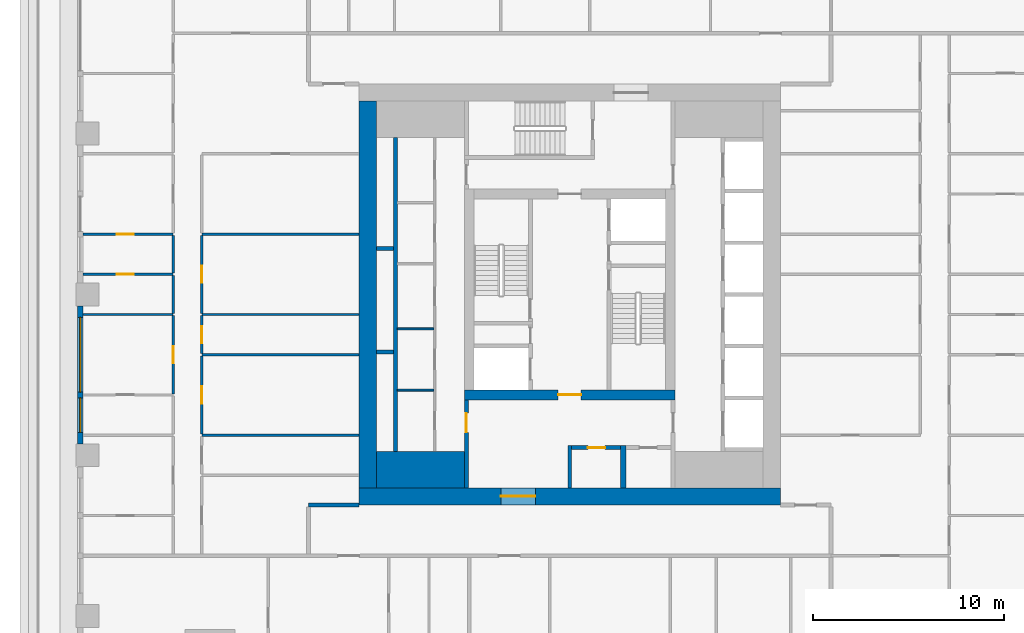
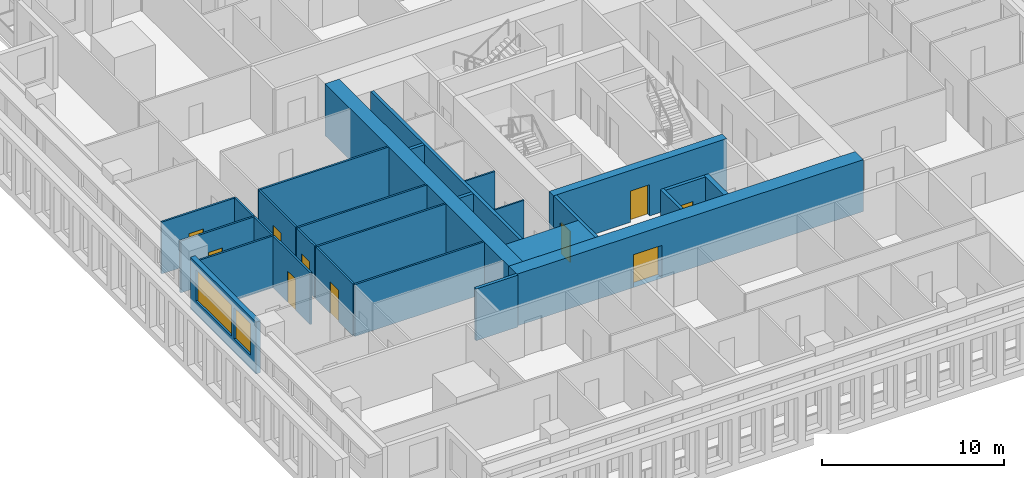
# One storey, part 3 of 16: 28 walls, 10 doors, 2 windows, 12 openings.
"""IFC4 building model written with IfcOpenShell, lengths in metres."""

from ifc_helpers import new_model, si_unit, direction, frame, frame_2d, origin, place, context, subcontext, project, spatial, rectangle, extrude, material, layer, layer_set, type_object, element, fill, save


model = new_model("IFC4")

# Units and contexts
model_context = context("Model", 3, precision=1e-05, world=origin(), true_north=direction((0.0, 1.0)))
body_context = subcontext(model_context, "Body", "Model", "MODEL_VIEW")
ifc_project = project(units=[si_unit("LENGTHUNIT", "METRE"), si_unit("AREAUNIT", "SQUARE_METRE"), si_unit("VOLUMEUNIT", "CUBIC_METRE"), si_unit("PLANEANGLEUNIT", "RADIAN"), si_unit("MASSUNIT", "GRAM", prefix="KILO")], contexts=[model_context])

# Site, building, storey
site_placement = place(None, origin())
site = spatial("IfcSite", under=ifc_project, at=site_placement, CompositionType="ELEMENT")
building_placement = place(site_placement, origin())
building = spatial("IfcBuilding", under=site, at=building_placement, Name="Khepri Terraces", CompositionType="ELEMENT")
storey_placement = place(building_placement, frame((0.0, 0.0, 168.89990234375)))
storey = spatial("IfcBuildingStorey", under=building, at=storey_placement, Name="L40", CompositionType="ELEMENT", Elevation=168.89990234375)

# Walls
ifc_material_1 = material(Name="Concrete C60/75", Category="concrete")
ifc_layer_1 = layer(ifc_material_1, 1.89990234375, Name="Concrete C60/75", Category="concrete")
ifc_layer_set_1 = layer_set([ifc_layer_1], Name="Concrete C60/75")
wall_type_1 = type_object("IfcWallType", Name="Core wall 1900 C60/75", PredefinedType="SHEAR", material=ifc_layer_set_1)
wall_1_placement = place(storey_placement, frame((-10.10009765625, -9.14990234375, 0.0), z_axis=(0.0, 0.0, 1.0), x_axis=(1.0, 0.0, 0.0)))
element("IfcWall", 1, at=wall_1_placement, inside=storey, type_object=wall_type_1, Name="Core wall PR01 L40", PredefinedType="SHEAR", context=body_context, shape_type="SweptSolid", body=[
    extrude(rectangle(XDim=4.60009765625, YDim=1.89990234375, at=frame_2d((2.300048828125, 0.0))), origin(), (0.0, 0.0, 1.0), 3.47998046875),
])
ifc_layer_2 = layer(ifc_material_1, 0.199951171875, Name="Concrete C60/75", Category="concrete")
ifc_layer_set_2 = layer_set([ifc_layer_2], Name="Concrete C60/75")
wall_type_2 = type_object("IfcWallType", Name="Core wall 200 C60/75", PredefinedType="SHEAR", material=ifc_layer_set_2)
wall_2_placement = place(storey_placement, frame((-9.10009765625, -8.199951171875, 0.0), z_axis=(0.0, 0.0, 1.0), x_axis=(0.0, 1.0, 0.0)))
element("IfcWall", 2, at=wall_2_placement, inside=storey, type_object=wall_type_2, Name="Core wall SH01 L40", PredefinedType="SHEAR", context=body_context, shape_type="SweptSolid", body=[
    extrude(rectangle(XDim=16.39990234375, YDim=0.199951171875, at=frame_2d((8.199951171875, 0.0))), origin(), (0.0, 0.0, 1.0), 3.47998046875),
])
for number, where, z_axis, x_axis, name in (
    (3, (-10.10009765625, -3.0, 0.0), (0.0, 0.0, 1.0), (1.0, 0.0, 0.0), "Core wall SH06 L40"),
    (4, (-10.10009765625, 2.39990234375, 0.0), (0.0, 0.0, 1.0), (1.0, 0.0, 0.0), "Core wall SH11 L40"),
):
    element("IfcWall", number, at=place(storey_placement, frame(where, z_axis=z_axis, x_axis=x_axis)), inside=storey, type_object=wall_type_2, Name=name, PredefinedType="SHEAR", context=body_context, shape_type="SweptSolid", body=[
        extrude(rectangle(XDim=0.900146484375, YDim=0.199951171875, at=frame_2d((0.4501953125, 0.0))), origin(), (0.0, 0.0, 1.0), 3.47998046875),
    ])

# Wall, opening, door
ifc_layer_3 = layer(ifc_material_1, 0.5, Name="Concrete C60/75", Category="concrete")
ifc_layer_set_3 = layer_set([ifc_layer_3], Name="Concrete C60/75")
wall_type_3 = type_object("IfcWallType", Name="Core wall 500 C60/75", PredefinedType="SHEAR", material=ifc_layer_set_3)
wall_3_placement = place(storey_placement, frame((-5.5, -5.25, 0.0), z_axis=(0.0, 0.0, 1.0), x_axis=(1.0, 0.0, 0.0)))
wall_3 = element("IfcWall", 5, at=wall_3_placement, inside=storey, type_object=wall_type_3, Name="Core wall BX01 L40", PredefinedType="SHEAR", context=body_context, shape_type="SweptSolid", body=[
    extrude(rectangle(XDim=11.0, YDim=0.5, at=frame_2d((5.5, 0.0))), origin(), (0.0, 0.0, 1.0), 3.47998046875),
])
opening_1_placement = place(wall_3_placement, frame((4.89990234375, 0.0, 0.0)))
opening_1 = element("IfcOpeningElement", 6, at=opening_1_placement, cuts=wall_3, Name="Opening L40-C14", PredefinedType="OPENING", context=body_context, shape_type="SweptSolid", body=[
    extrude(rectangle(XDim=1.199951171875, YDim=2.10009765625, at=frame_2d((0.60009765625, 1.050048828125))), frame((0.0, 0.260009765625, 0.0), z_axis=(0.0, -1.0, 0.0), x_axis=(1.0, 0.0, 0.0)), (0.0, 0.0, 1.0), 0.52001953125),
])
ifc_material_2 = material(Name="Painted steel", Category="steel")
door_type_1 = type_object("IfcDoorType", Name="DR-CORE-FF-LOBBY-1200", OperationType="NOTDEFINED", PredefinedType="DOOR", material=ifc_material_2)
door_1_placement = place(opening_1_placement, origin())
door_1 = element("IfcDoor", 7, at=door_1_placement, inside=storey, type_object=door_type_1, Name="Firefighting lobby door L40-C14", OperationType="SINGLE_SWING_RIGHT", OverallHeight=2.10009765625, OverallWidth=1.199951171875, PredefinedType="DOOR", context=body_context, shape_type="SweptSolid", body=[
    extrude(rectangle(XDim=1.199951171875, YDim=2.10009765625, at=frame_2d((0.60009765625, 1.050048828125))), frame((0.0, 0.02490234375, 0.0), z_axis=(0.0, -1.0, 0.0), x_axis=(1.0, 0.0, 0.0)), (0.0, 0.0, 1.0), 0.050048828125),
])
fill(opening_1, door_1)

ifc_layer_4 = layer(ifc_material_1, 0.89990234375, Name="Concrete C60/75", Category="concrete")
ifc_layer_set_4 = layer_set([ifc_layer_4], Name="Concrete C60/75")
wall_type_4 = type_object("IfcWallType", Name="Core wall 900 C60/75", PredefinedType="SHEAR", material=ifc_layer_set_4)
wall_4_placement = place(storey_placement, frame((-11.0, -10.550048828125, 0.0), z_axis=(0.0, 0.0, 1.0), x_axis=(1.0, 0.0, 0.0)))
wall_4 = element("IfcWall", 8, at=wall_4_placement, inside=storey, type_object=wall_type_4, Name="Core wall OW-S L40", PredefinedType="SHEAR", context=body_context, shape_type="SweptSolid", body=[
    extrude(rectangle(XDim=22.0, YDim=0.89990234375, at=frame_2d((11.0, 0.0))), origin(), (0.0, 0.0, 1.0), 3.47998046875),
])
opening_2_placement = place(wall_4_placement, frame((7.39990234375, 0.0, 0.0)))
opening_2 = element("IfcOpeningElement", 9, at=opening_2_placement, cuts=wall_4, Name="Opening L40-C21", PredefinedType="OPENING", context=body_context, shape_type="SweptSolid", body=[
    extrude(rectangle(XDim=1.800048828125, YDim=2.199951171875, at=frame_2d((0.89990234375, 1.10009765625))), frame((0.0, 0.4599609375, 0.0), z_axis=(0.0, -1.0, 0.0), x_axis=(1.0, 0.0, 0.0)), (0.0, 0.0, 1.0), 0.919921875),
])
door_type_2 = type_object("IfcDoorType", Name="DR-CORE-ENTRANCE-1800", OperationType="NOTDEFINED", PredefinedType="DOOR", material=ifc_material_2)
door_2_placement = place(opening_2_placement, frame((1.800048828125, 0.0, 0.0), z_axis=(0.0, 0.0, 1.0), x_axis=(-1.0, 0.0, 0.0)))
door_2 = element("IfcDoor", 10, at=door_2_placement, inside=storey, type_object=door_type_2, Name="Core entrance door pair L40-C21", OperationType="DOUBLE_DOOR_SINGLE_SWING", OverallHeight=2.199951171875, OverallWidth=1.800048828125, PredefinedType="DOOR", context=body_context, shape_type="SweptSolid", body=[
    extrude(rectangle(XDim=1.800048828125, YDim=2.199951171875, at=frame_2d((0.89990234375, 1.10009765625))), frame((0.0, 0.02490234375, 0.0), z_axis=(0.0, -1.0, 0.0), x_axis=(1.0, 0.0, 0.0)), (0.0, 0.0, 1.0), 0.050048828125),
])
fill(opening_2, door_2)

# Walls
wall_5_placement = place(storey_placement, frame((-10.550048828125, -10.10009765625, 0.0), z_axis=(0.0, 0.0, 1.0), x_axis=(0.0, 1.0, 0.0)))
element("IfcWall", 11, at=wall_5_placement, inside=storey, type_object=wall_type_4, Name="Core wall OW-W L40", PredefinedType="SHEAR", context=body_context, shape_type="SweptSolid", body=[
    extrude(rectangle(XDim=20.2001953125, YDim=0.89990234375, at=frame_2d((10.10009765625, 0.0))), origin(), (0.0, 0.0, 1.0), 3.47998046875),
])
ifc_material_3 = material(Name="Fire-rated gypsum board partition")
ifc_layer_5 = layer(ifc_material_3, 0.10009765625, Name="Fire-rated gypsum board partition")
ifc_layer_set_5 = layer_set([ifc_layer_5], Name="Fire-rated gypsum board partition")
wall_type_5 = type_object("IfcWallType", Name="WL-CORE-PART-100", PredefinedType="PARTITIONING", material=ifc_layer_set_5)
for number, where, z_axis, x_axis, name in (
    (12, (-9.0, -5.0, 0.0), (0.0, 0.0, 1.0), (1.0, 0.0, 0.0), "Core partition PT08 L40"),
    (13, (-9.0, -1.800048828125, 0.0), (0.0, 0.0, 1.0), (1.0, 0.0, 0.0), "Core partition PT09 L40"),
):
    element("IfcWall", number, at=place(storey_placement, frame(where, z_axis=z_axis, x_axis=x_axis)), inside=storey, type_object=wall_type_5, Name=name, PredefinedType="PARTITIONING", context=body_context, shape_type="SweptSolid", body=[
        extrude(rectangle(XDim=1.89990234375, YDim=0.10009765625, at=frame_2d((0.949951171875, 0.0))), origin(), (0.0, 0.0, 1.0), 3.47998046875),
    ])

# Wall, opening, door
ifc_layer_6 = layer(ifc_material_3, 0.199951171875, Name="Fire-rated gypsum board partition")
ifc_layer_set_6 = layer_set([ifc_layer_6], Name="Fire-rated gypsum board partition")
wall_type_6 = type_object("IfcWallType", Name="WL-CORE-PART-200", PredefinedType="PARTITIONING", material=ifc_layer_set_6)
wall_6_placement = place(storey_placement, frame((-5.39990234375, -10.10009765625, 0.0), z_axis=(0.0, 0.0, 1.0), x_axis=(0.0, 1.0, 0.0)))
wall_6 = element("IfcWall", 14, at=wall_6_placement, inside=storey, type_object=wall_type_6, Name="Core partition PT01 L40", PredefinedType="PARTITIONING", context=body_context, shape_type="SweptSolid", body=[
    extrude(rectangle(XDim=4.60009765625, YDim=0.199951171875, at=frame_2d((2.300048828125, 0.0))), origin(), (0.0, 0.0, 1.0), 3.47998046875),
])
opening_3_placement = place(wall_6_placement, frame((2.89990234375, 0.0, 0.0)))
opening_3 = element("IfcOpeningElement", 15, at=opening_3_placement, cuts=wall_6, Name="Opening L40-C18", PredefinedType="OPENING", context=body_context, shape_type="SweptSolid", body=[
    extrude(rectangle(XDim=1.0, YDim=2.10009765625, at=frame_2d((0.5, 1.050048828125))), frame((0.0, 0.10986328125, 0.0), z_axis=(0.0, -1.0, 0.0), x_axis=(1.0, 0.0, 0.0)), (0.0, 0.0, 1.0), 0.219970703125),
])
door_type_3 = type_object("IfcDoorType", Name="DR-CORE-LOBBY-1000", OperationType="NOTDEFINED", PredefinedType="DOOR", material=ifc_material_2)
door_3_placement = place(opening_3_placement, frame((1.0, 0.0, 0.0), z_axis=(0.0, 0.0, 1.0), x_axis=(-1.0, 0.0, 0.0)))
door_3 = element("IfcDoor", 16, at=door_3_placement, inside=storey, type_object=door_type_3, Name="Lobby door L40-C18", OperationType="SINGLE_SWING_LEFT", OverallHeight=2.10009765625, OverallWidth=1.0, PredefinedType="DOOR", context=body_context, shape_type="SweptSolid", body=[
    extrude(rectangle(XDim=1.0, YDim=2.10009765625, at=frame_2d((0.5, 1.050048828125))), frame((0.0, 0.02490234375, 0.0), z_axis=(0.0, -1.0, 0.0), x_axis=(1.0, 0.0, 0.0)), (0.0, 0.0, 1.0), 0.050048828125),
])
fill(opening_3, door_3)

# Wall
wall_7_placement = place(storey_placement, frame((0.0, -10.10009765625, 0.0), z_axis=(0.0, 0.0, 1.0), x_axis=(0.0, 1.0, 0.0)))
element("IfcWall", 17, at=wall_7_placement, inside=storey, type_object=wall_type_6, Name="Core partition PT02 L40", PredefinedType="PARTITIONING", context=body_context, shape_type="SweptSolid", body=[
    extrude(rectangle(XDim=2.2001953125, YDim=0.199951171875, at=frame_2d((1.10009765625, 0.0))), origin(), (0.0, 0.0, 1.0), 3.47998046875),
])

# Wall, opening, door
wall_8_placement = place(storey_placement, frame((0.10009765625, -8.0, 0.0), z_axis=(0.0, 0.0, 1.0), x_axis=(1.0, 0.0, 0.0)))
wall_8 = element("IfcWall", 18, at=wall_8_placement, inside=storey, type_object=wall_type_6, Name="Core partition PT06 L40", PredefinedType="PARTITIONING", context=body_context, shape_type="SweptSolid", body=[
    extrude(rectangle(XDim=2.5498046875, YDim=0.199951171875, at=frame_2d((1.27490234375, 0.0))), origin(), (0.0, 0.0, 1.0), 3.47998046875),
])
opening_4_placement = place(wall_8_placement, frame((0.85009765625, 0.0, 0.0)))
opening_4 = element("IfcOpeningElement", 19, at=opening_4_placement, cuts=wall_8, Name="Opening L40-C22", PredefinedType="OPENING", context=body_context, shape_type="SweptSolid", body=[
    extrude(rectangle(XDim=0.89990234375, YDim=2.10009765625, at=frame_2d((0.449951171875, 1.050048828125))), frame((0.0, 0.10986328125, 0.0), z_axis=(0.0, -1.0, 0.0), x_axis=(1.0, 0.0, 0.0)), (0.0, 0.0, 1.0), 0.219970703125),
])
door_type_4 = type_object("IfcDoorType", Name="DR-CORE-SERVICE-900", OperationType="NOTDEFINED", PredefinedType="DOOR", material=ifc_material_2)
door_4_placement = place(opening_4_placement, frame((0.89990234375, 0.0, 0.0), z_axis=(0.0, 0.0, 1.0), x_axis=(-1.0, 0.0, 0.0)))
door_4 = element("IfcDoor", 20, at=door_4_placement, inside=storey, type_object=door_type_4, Name="Service room door L40-C22", OperationType="SINGLE_SWING_LEFT", OverallHeight=2.10009765625, OverallWidth=0.89990234375, PredefinedType="DOOR", context=body_context, shape_type="SweptSolid", body=[
    extrude(rectangle(XDim=0.89990234375, YDim=2.10009765625, at=frame_2d((0.449951171875, 1.050048828125))), frame((0.0, 0.02490234375, 0.0), z_axis=(0.0, -1.0, 0.0), x_axis=(1.0, 0.0, 0.0)), (0.0, 0.0, 1.0), 0.050048828125),
])
fill(opening_4, door_4)

# Walls
ifc_layer_7 = layer(ifc_material_3, 0.300048828125, Name="Fire-rated gypsum board partition")
ifc_layer_set_7 = layer_set([ifc_layer_7], Name="Fire-rated gypsum board partition")
wall_type_7 = type_object("IfcWallType", Name="WL-CORE-PART-300", PredefinedType="PARTITIONING", material=ifc_layer_set_7)
wall_9_placement = place(storey_placement, frame((2.800048828125, -10.10009765625, 0.0), z_axis=(0.0, 0.0, 1.0), x_axis=(0.0, 1.0, 0.0)))
element("IfcWall", 21, at=wall_9_placement, inside=storey, type_object=wall_type_7, Name="Core partition PT03 L40", PredefinedType="PARTITIONING", context=body_context, shape_type="SweptSolid", body=[
    extrude(rectangle(XDim=2.2001953125, YDim=0.300048828125, at=frame_2d((1.10009765625, 0.0))), origin(), (0.0, 0.0, 1.0), 3.47998046875),
])
ifc_material_4 = material(Name="Fire-rated gypsum plasterboard partition, mineral wool")
ifc_layer_8 = layer(ifc_material_4, 0.199951171875, Name="Fire-rated gypsum plasterboard partition, mineral wool")
ifc_layer_set_8 = layer_set([ifc_layer_8], Name="Fire-rated gypsum plasterboard partition, mineral wool")
wall_type_8 = type_object("IfcWallType", Name="WL-CORR-200", PredefinedType="PARTITIONING", material=ifc_layer_set_8)
wall_10_placement = place(storey_placement, frame((-13.64990234375, -11.0, 0.0), z_axis=(0.0, 0.0, 1.0), x_axis=(1.0, 0.0, 0.0)))
element("IfcWall", 22, at=wall_10_placement, inside=storey, type_object=wall_type_8, Name="Partition P-035 L40", PredefinedType="PARTITIONING", context=body_context, shape_type="SweptSolid", body=[
    extrude(rectangle(XDim=2.64990234375, YDim=0.199951171875, at=frame_2d((1.324951171875, 0.0))), origin(), (0.0, 0.0, 1.0), 3.47998046875),
])

# Wall, openings, windows
ifc_material_5 = material(Name="Precast concrete C50/60 warm stone", Category="masonry")
ifc_layer_9 = layer(ifc_material_5, 0.300048828125, Name="Precast concrete C50/60 warm stone", Category="masonry")
ifc_layer_set_9 = layer_set([ifc_layer_9], Name="Precast concrete C50/60 warm stone")
wall_type_9 = type_object("IfcWallType", Name="WL-EXT-PRECAST-300", PredefinedType="STANDARD", material=ifc_layer_set_9)
wall_11_placement = place(storey_placement, frame((-25.570068359375, -0.60009765625, 0.0), z_axis=(0.0, 0.0, 1.0), x_axis=(0.0, -1.0, 0.0)))
wall_11 = element("IfcWall", 23, at=wall_11_placement, inside=storey, type_object=wall_type_9, Name="External wall L40 W", PredefinedType="STANDARD", context=body_context, shape_type="SweptSolid", body=[
    extrude(rectangle(XDim=7.199951171875, YDim=0.300048828125, at=frame_2d((3.60009765625, 0.0))), origin(), (0.0, 0.0, 1.0), 3.47998046875),
])
opening_5_placement = place(wall_11_placement, frame((0.60009765625, 0.0, 0.89990234375)))
opening_5 = element("IfcOpeningElement", 24, at=opening_5_placement, cuts=wall_11, Name="Opening W2", PredefinedType="OPENING", context=body_context, shape_type="SweptSolid", body=[
    extrude(rectangle(XDim=3.89990234375, YDim=2.10009765625, at=frame_2d((1.949951171875, 1.050048828125))), frame((0.0, 0.16015625, 0.0), z_axis=(0.0, -1.0, 0.0), x_axis=(1.0, 0.0, 0.0)), (0.0, 0.0, 1.0), 0.320068359375),
])
opening_6_placement = place(wall_11_placement, frame((4.800048828125, 0.0, 0.89990234375)))
opening_6 = element("IfcOpeningElement", 25, at=opening_6_placement, cuts=wall_11, Name="Opening W1", PredefinedType="OPENING", context=body_context, shape_type="SweptSolid", body=[
    extrude(rectangle(XDim=1.800048828125, YDim=2.10009765625, at=frame_2d((0.89990234375, 1.050048828125))), frame((0.0, 0.16015625, 0.0), z_axis=(0.0, -1.0, 0.0), x_axis=(1.0, 0.0, 0.0)), (0.0, 0.0, 1.0), 0.320068359375),
])
ifc_material_6 = material(Name="Clear glass", Category="glass")
window_type_1 = type_object("IfcWindowType", Name="WIN-RES-1800x2100", PartitioningType="SINGLE_PANEL", PredefinedType="WINDOW", material=ifc_material_6)
window_1_placement = place(opening_6_placement, origin())
window_1 = element("IfcWindow", 26, at=window_1_placement, inside=storey, type_object=window_type_1, Name="Window L40 W", OverallHeight=2.10009765625, OverallWidth=1.800048828125, PartitioningType="SINGLE_PANEL", PredefinedType="WINDOW", context=body_context, shape_type="SweptSolid", body=[
    extrude(rectangle(XDim=1.800048828125, YDim=2.10009765625, at=frame_2d((0.89990234375, 1.050048828125))), frame((0.0, 0.030029296875, 0.0), z_axis=(0.0, -1.0, 0.0), x_axis=(1.0, 0.0, 0.0)), (0.0, 0.0, 1.0), 0.06005859375),
])
fill(opening_6, window_1)
window_type_2 = type_object("IfcWindowType", Name="WIN-RES-3900x2100", PartitioningType="SINGLE_PANEL", PredefinedType="WINDOW", material=ifc_material_6)
window_2_placement = place(opening_5_placement, origin())
window_2 = element("IfcWindow", 27, at=window_2_placement, inside=storey, type_object=window_type_2, Name="Window L40 W", OverallHeight=2.10009765625, OverallWidth=3.89990234375, PartitioningType="SINGLE_PANEL", PredefinedType="WINDOW", context=body_context, shape_type="SweptSolid", body=[
    extrude(rectangle(XDim=3.89990234375, YDim=2.10009765625, at=frame_2d((1.949951171875, 1.050048828125))), frame((0.0, 0.030029296875, 0.0), z_axis=(0.0, -1.0, 0.0), x_axis=(1.0, 0.0, 0.0)), (0.0, 0.0, 1.0), 0.06005859375),
])
fill(opening_5, window_2)

# Wall
ifc_material_7 = material(Name="Gypsum plasterboard partition")
ifc_layer_10 = layer(ifc_material_7, 0.1201171875, Name="Gypsum plasterboard partition")
ifc_layer_set_10 = layer_set([ifc_layer_10], Name="Gypsum plasterboard partition")
wall_type_10 = type_object("IfcWallType", Name="WL-PART-120", PredefinedType="PARTITIONING", material=ifc_layer_set_10)
wall_12_placement = place(storey_placement, frame((-19.219970703125, -7.35009765625, 0.0), z_axis=(0.0, 0.0, 1.0), x_axis=(1.0, 0.0, 0.0)))
element("IfcWall", 28, at=wall_12_placement, inside=storey, type_object=wall_type_10, Name="Partition P-040 L40", PredefinedType="PARTITIONING", context=body_context, shape_type="SweptSolid", body=[
    extrude(rectangle(XDim=8.219970703125, YDim=0.1201171875, at=frame_2d((4.10986328125, 0.0))), origin(), (0.0, 0.0, 1.0), 3.47998046875),
])

# Wall, opening, door
wall_13_placement = place(storey_placement, frame((-19.219970703125, -7.2900390625, 0.0), z_axis=(0.0, 0.0, 1.0), x_axis=(0.0, 1.0, 0.0)))
wall_13 = element("IfcWall", 29, at=wall_13_placement, inside=storey, type_object=wall_type_10, Name="Partition P-044 L40", PredefinedType="PARTITIONING", context=body_context, shape_type="SweptSolid", body=[
    extrude(rectangle(XDim=4.080078125, YDim=0.1201171875, at=frame_2d((2.0400390625, 0.0))), origin(), (0.0, 0.0, 1.0), 3.47998046875),
])
opening_7_placement = place(wall_13_placement, frame((1.590087890625, 0.0, 0.0)))
opening_7 = element("IfcOpeningElement", 30, at=opening_7_placement, cuts=wall_13, Name="Opening D3", PredefinedType="OPENING", context=body_context, shape_type="SweptSolid", body=[
    extrude(rectangle(XDim=0.89990234375, YDim=2.10009765625, at=frame_2d((0.449951171875, 1.050048828125))), frame((0.0, 0.070068359375, 0.0), z_axis=(0.0, -1.0, 0.0), x_axis=(1.0, 0.0, 0.0)), (0.0, 0.0, 1.0), 0.14013671875),
])
ifc_material_8 = material(Name="Timber door leaf", Category="wood")
door_type_5 = type_object("IfcDoorType", Name="DR-INT-900", OperationType="NOTDEFINED", PredefinedType="DOOR", material=ifc_material_8)
door_5_placement = place(opening_7_placement, frame((0.89990234375, 0.0, 0.0), z_axis=(0.0, 0.0, 1.0), x_axis=(-1.0, 0.0, 0.0)))
door_5 = element("IfcDoor", 31, at=door_5_placement, inside=storey, type_object=door_type_5, Name="Door Utility Room", OperationType="SINGLE_SWING_LEFT", OverallHeight=2.10009765625, OverallWidth=0.89990234375, PredefinedType="DOOR", context=body_context, shape_type="SweptSolid", body=[
    extrude(rectangle(XDim=0.89990234375, YDim=2.10009765625, at=frame_2d((0.449951171875, 1.050048828125))), frame((0.0, 0.02490234375, 0.0), z_axis=(0.0, -1.0, 0.0), x_axis=(1.0, 0.0, 0.0)), (0.0, 0.0, 1.0), 0.050048828125),
])
fill(opening_7, door_5)

wall_14_placement = place(storey_placement, frame((-20.719970703125, -5.18994140625, 0.0), z_axis=(0.0, 0.0, 1.0), x_axis=(0.0, 1.0, 0.0)))
wall_14 = element("IfcWall", 32, at=wall_14_placement, inside=storey, type_object=wall_type_10, Name="Partition P-048 L40", PredefinedType="PARTITIONING", context=body_context, shape_type="SweptSolid", body=[
    extrude(rectangle(XDim=4.079833984375, YDim=0.1201171875, at=frame_2d((2.0400390625, 0.0))), origin(), (0.0, 0.0, 1.0), 3.47998046875),
])
opening_8_placement = place(wall_14_placement, frame((1.590087890625, 0.0, 0.0)))
opening_8 = element("IfcOpeningElement", 33, at=opening_8_placement, cuts=wall_14, Name="Opening D3", PredefinedType="OPENING", context=body_context, shape_type="SweptSolid", body=[
    extrude(rectangle(XDim=0.89990234375, YDim=2.10009765625, at=frame_2d((0.449951171875, 1.050048828125))), frame((0.0, 0.070068359375, 0.0), z_axis=(0.0, -1.0, 0.0), x_axis=(1.0, 0.0, 0.0)), (0.0, 0.0, 1.0), 0.14013671875),
])
door_6_placement = place(opening_8_placement, origin())
door_6 = element("IfcDoor", 34, at=door_6_placement, inside=storey, type_object=door_type_5, Name="Door Bedroom", OperationType="SINGLE_SWING_RIGHT", OverallHeight=2.10009765625, OverallWidth=0.89990234375, PredefinedType="DOOR", context=body_context, shape_type="SweptSolid", body=[
    extrude(rectangle(XDim=0.89990234375, YDim=2.10009765625, at=frame_2d((0.449951171875, 1.050048828125))), frame((0.0, 0.02490234375, 0.0), z_axis=(0.0, -1.0, 0.0), x_axis=(1.0, 0.0, 0.0)), (0.0, 0.0, 1.0), 0.050048828125),
])
fill(opening_8, door_6)

# Wall
wall_15_placement = place(storey_placement, frame((-19.219970703125, -3.14990234375, 0.0), z_axis=(0.0, 0.0, 1.0), x_axis=(1.0, 0.0, 0.0)))
element("IfcWall", 35, at=wall_15_placement, inside=storey, type_object=wall_type_10, Name="Partition P-049 L40", PredefinedType="PARTITIONING", context=body_context, shape_type="SweptSolid", body=[
    extrude(rectangle(XDim=8.219970703125, YDim=0.1201171875, at=frame_2d((4.10986328125, 0.0))), origin(), (0.0, 0.0, 1.0), 3.47998046875),
])

# Wall, opening, door
wall_16_placement = place(storey_placement, frame((-19.219970703125, -3.090087890625, 0.0), z_axis=(0.0, 0.0, 1.0), x_axis=(0.0, 1.0, 0.0)))
wall_16 = element("IfcWall", 36, at=wall_16_placement, inside=storey, type_object=wall_type_10, Name="Partition P-052 L40", PredefinedType="PARTITIONING", context=body_context, shape_type="SweptSolid", body=[
    extrude(rectangle(XDim=1.97998046875, YDim=0.1201171875, at=frame_2d((0.989990234375, 0.0))), origin(), (0.0, 0.0, 1.0), 3.47998046875),
])
opening_9_placement = place(wall_16_placement, frame((0.5400390625, 0.0, 0.0)))
opening_9 = element("IfcOpeningElement", 37, at=opening_9_placement, cuts=wall_16, Name="Opening D4", PredefinedType="OPENING", context=body_context, shape_type="SweptSolid", body=[
    extrude(rectangle(XDim=0.89990234375, YDim=2.10009765625, at=frame_2d((0.449951171875, 1.050048828125))), frame((0.0, 0.070068359375, 0.0), z_axis=(0.0, -1.0, 0.0), x_axis=(1.0, 0.0, 0.0)), (0.0, 0.0, 1.0), 0.14013671875),
])
ifc_material_9 = material(Name="Timber door leaf, moisture resistant", Category="wood")
door_type_6 = type_object("IfcDoorType", Name="DR-WET-900", OperationType="NOTDEFINED", PredefinedType="DOOR", material=ifc_material_9)
door_7_placement = place(opening_9_placement, frame((0.89990234375, 0.0, 0.0), z_axis=(0.0, 0.0, 1.0), x_axis=(-1.0, 0.0, 0.0)))
door_7 = element("IfcDoor", 38, at=door_7_placement, inside=storey, type_object=door_type_6, Name="Door Powder Room", OperationType="SINGLE_SWING_RIGHT", OverallHeight=2.10009765625, OverallWidth=0.89990234375, PredefinedType="DOOR", context=body_context, shape_type="SweptSolid", body=[
    extrude(rectangle(XDim=0.89990234375, YDim=2.10009765625, at=frame_2d((0.449951171875, 1.050048828125))), frame((0.0, 0.02490234375, 0.0), z_axis=(0.0, -1.0, 0.0), x_axis=(1.0, 0.0, 0.0)), (0.0, 0.0, 1.0), 0.050048828125),
])
fill(opening_9, door_7)

# Walls
wall_17_placement = place(storey_placement, frame((-25.419921875, -1.050048828125, 0.0), z_axis=(0.0, 0.0, 1.0), x_axis=(1.0, 0.0, 0.0)))
element("IfcWall", 39, at=wall_17_placement, inside=storey, type_object=wall_type_10, Name="Partition P-055 L40", PredefinedType="PARTITIONING", context=body_context, shape_type="SweptSolid", body=[
    extrude(rectangle(XDim=4.699951171875, YDim=0.1201171875, at=frame_2d((2.35009765625, 0.0))), origin(), (0.0, 0.0, 1.0), 3.47998046875),
])
wall_18_placement = place(storey_placement, frame((-19.219970703125, -1.050048828125, 0.0), z_axis=(0.0, 0.0, 1.0), x_axis=(1.0, 0.0, 0.0)))
element("IfcWall", 40, at=wall_18_placement, inside=storey, type_object=wall_type_10, Name="Partition P-056 L40", PredefinedType="PARTITIONING", context=body_context, shape_type="SweptSolid", body=[
    extrude(rectangle(XDim=8.219970703125, YDim=0.1201171875, at=frame_2d((4.10986328125, 0.0))), origin(), (0.0, 0.0, 1.0), 3.47998046875),
])
wall_19_placement = place(storey_placement, frame((-20.719970703125, -0.989990234375, 0.0), z_axis=(0.0, 0.0, 1.0), x_axis=(0.0, 1.0, 0.0)))
element("IfcWall", 41, at=wall_19_placement, inside=storey, type_object=wall_type_10, Name="Partition P-058 L40", PredefinedType="PARTITIONING", context=body_context, shape_type="SweptSolid", body=[
    extrude(rectangle(XDim=1.97998046875, YDim=0.1201171875, at=frame_2d((0.989990234375, 0.0))), origin(), (0.0, 0.0, 1.0), 3.47998046875),
])

# Wall, opening, door
wall_20_placement = place(storey_placement, frame((-19.219970703125, -0.989990234375, 0.0), z_axis=(0.0, 0.0, 1.0), x_axis=(0.0, 1.0, 0.0)))
wall_20 = element("IfcWall", 42, at=wall_20_placement, inside=storey, type_object=wall_type_10, Name="Partition P-059 L40", PredefinedType="PARTITIONING", context=body_context, shape_type="SweptSolid", body=[
    extrude(rectangle(XDim=4.080078125, YDim=0.1201171875, at=frame_2d((2.0400390625, 0.0))), origin(), (0.0, 0.0, 1.0), 3.47998046875),
])
opening_10_placement = place(wall_20_placement, frame((1.590087890625, 0.0, 0.0)))
opening_10 = element("IfcOpeningElement", 43, at=opening_10_placement, cuts=wall_20, Name="Opening D3", PredefinedType="OPENING", context=body_context, shape_type="SweptSolid", body=[
    extrude(rectangle(XDim=0.89990234375, YDim=2.10009765625, at=frame_2d((0.449951171875, 1.050048828125))), frame((0.0, 0.070068359375, 0.0), z_axis=(0.0, -1.0, 0.0), x_axis=(1.0, 0.0, 0.0)), (0.0, 0.0, 1.0), 0.14013671875),
])
door_8_placement = place(opening_10_placement, frame((0.89990234375, 0.0, 0.0), z_axis=(0.0, 0.0, 1.0), x_axis=(-1.0, 0.0, 0.0)))
door_8 = element("IfcDoor", 44, at=door_8_placement, inside=storey, type_object=door_type_5, Name="Door Service Store", OperationType="SINGLE_SWING_LEFT", OverallHeight=2.10009765625, OverallWidth=0.89990234375, PredefinedType="DOOR", context=body_context, shape_type="SweptSolid", body=[
    extrude(rectangle(XDim=0.89990234375, YDim=2.10009765625, at=frame_2d((0.449951171875, 1.050048828125))), frame((0.0, 0.02490234375, 0.0), z_axis=(0.0, -1.0, 0.0), x_axis=(1.0, 0.0, 0.0)), (0.0, 0.0, 1.0), 0.050048828125),
])
fill(opening_10, door_8)

wall_21_placement = place(storey_placement, frame((-25.419921875, 1.050048828125, 0.0), z_axis=(0.0, 0.0, 1.0), x_axis=(1.0, 0.0, 0.0)))
wall_21 = element("IfcWall", 45, at=wall_21_placement, inside=storey, type_object=wall_type_10, Name="Partition P-061 L40", PredefinedType="PARTITIONING", context=body_context, shape_type="SweptSolid", body=[
    extrude(rectangle(XDim=4.699951171875, YDim=0.1201171875, at=frame_2d((2.35009765625, 0.0))), origin(), (0.0, 0.0, 1.0), 3.47998046875),
])
opening_11_placement = place(wall_21_placement, frame((1.75, 0.0, 0.0)))
opening_11 = element("IfcOpeningElement", 46, at=opening_11_placement, cuts=wall_21, Name="Opening D4", PredefinedType="OPENING", context=body_context, shape_type="SweptSolid", body=[
    extrude(rectangle(XDim=0.89990234375, YDim=2.10009765625, at=frame_2d((0.449951171875, 1.050048828125))), frame((0.0, 0.070068359375, 0.0), z_axis=(0.0, -1.0, 0.0), x_axis=(1.0, 0.0, 0.0)), (0.0, 0.0, 1.0), 0.14013671875),
])
door_9_placement = place(opening_11_placement, frame((0.89990234375, 0.0, 0.0), z_axis=(0.0, 0.0, 1.0), x_axis=(-1.0, 0.0, 0.0)))
door_9 = element("IfcDoor", 47, at=door_9_placement, inside=storey, type_object=door_type_6, Name="Door Bathroom", OperationType="SINGLE_SWING_RIGHT", OverallHeight=2.10009765625, OverallWidth=0.89990234375, PredefinedType="DOOR", context=body_context, shape_type="SweptSolid", body=[
    extrude(rectangle(XDim=0.89990234375, YDim=2.10009765625, at=frame_2d((0.449951171875, 1.050048828125))), frame((0.0, 0.02490234375, 0.0), z_axis=(0.0, -1.0, 0.0), x_axis=(1.0, 0.0, 0.0)), (0.0, 0.0, 1.0), 0.050048828125),
])
fill(opening_11, door_9)

# Wall
wall_22_placement = place(storey_placement, frame((-20.719970703125, 1.110107421875, 0.0), z_axis=(0.0, 0.0, 1.0), x_axis=(0.0, 1.0, 0.0)))
element("IfcWall", 48, at=wall_22_placement, inside=storey, type_object=wall_type_10, Name="Partition P-064 L40", PredefinedType="PARTITIONING", context=body_context, shape_type="SweptSolid", body=[
    extrude(rectangle(XDim=1.97998046875, YDim=0.1201171875, at=frame_2d((0.989990234375, 0.0))), origin(), (0.0, 0.0, 1.0), 3.47998046875),
])

# Wall, opening, door
wall_23_placement = place(storey_placement, frame((-25.419921875, 3.14990234375, 0.0), z_axis=(0.0, 0.0, 1.0), x_axis=(1.0, 0.0, 0.0)))
wall_23 = element("IfcWall", 49, at=wall_23_placement, inside=storey, type_object=wall_type_10, Name="Partition P-067 L40", PredefinedType="PARTITIONING", context=body_context, shape_type="SweptSolid", body=[
    extrude(rectangle(XDim=4.699951171875, YDim=0.1201171875, at=frame_2d((2.35009765625, 0.0))), origin(), (0.0, 0.0, 1.0), 3.47998046875),
])
opening_12_placement = place(wall_23_placement, frame((1.75, 0.0, 0.0)))
opening_12 = element("IfcOpeningElement", 50, at=opening_12_placement, cuts=wall_23, Name="Opening D3", PredefinedType="OPENING", context=body_context, shape_type="SweptSolid", body=[
    extrude(rectangle(XDim=0.89990234375, YDim=2.10009765625, at=frame_2d((0.449951171875, 1.050048828125))), frame((0.0, 0.070068359375, 0.0), z_axis=(0.0, -1.0, 0.0), x_axis=(1.0, 0.0, 0.0)), (0.0, 0.0, 1.0), 0.14013671875),
])
door_10_placement = place(opening_12_placement, frame((0.89990234375, 0.0, 0.0), z_axis=(0.0, 0.0, 1.0), x_axis=(-1.0, 0.0, 0.0)))
door_10 = element("IfcDoor", 51, at=door_10_placement, inside=storey, type_object=door_type_5, Name="Door Dressing Room", OperationType="SINGLE_SWING_RIGHT", OverallHeight=2.10009765625, OverallWidth=0.89990234375, PredefinedType="DOOR", context=body_context, shape_type="SweptSolid", body=[
    extrude(rectangle(XDim=0.89990234375, YDim=2.10009765625, at=frame_2d((0.449951171875, 1.050048828125))), frame((0.0, 0.02490234375, 0.0), z_axis=(0.0, -1.0, 0.0), x_axis=(1.0, 0.0, 0.0)), (0.0, 0.0, 1.0), 0.050048828125),
])
fill(opening_12, door_10)

# Wall
wall_24_placement = place(storey_placement, frame((-19.219970703125, 3.14990234375, 0.0), z_axis=(0.0, 0.0, 1.0), x_axis=(1.0, 0.0, 0.0)))
element("IfcWall", 52, at=wall_24_placement, inside=storey, type_object=wall_type_10, Name="Partition P-068 L40", PredefinedType="PARTITIONING", context=body_context, shape_type="SweptSolid", body=[
    extrude(rectangle(XDim=8.219970703125, YDim=0.1201171875, at=frame_2d((4.10986328125, 0.0))), origin(), (0.0, 0.0, 1.0), 3.47998046875),
])

save(model, "model.ifc")
